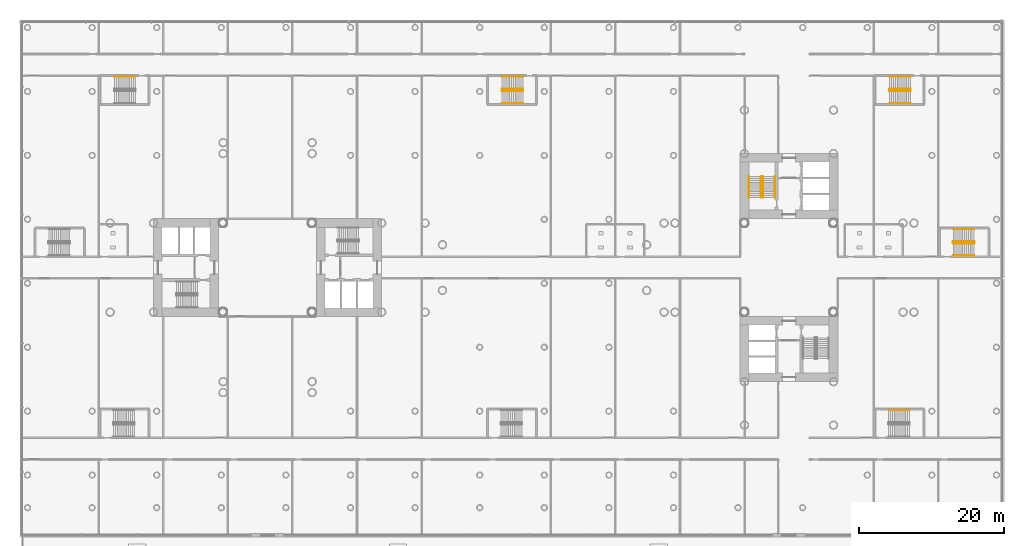
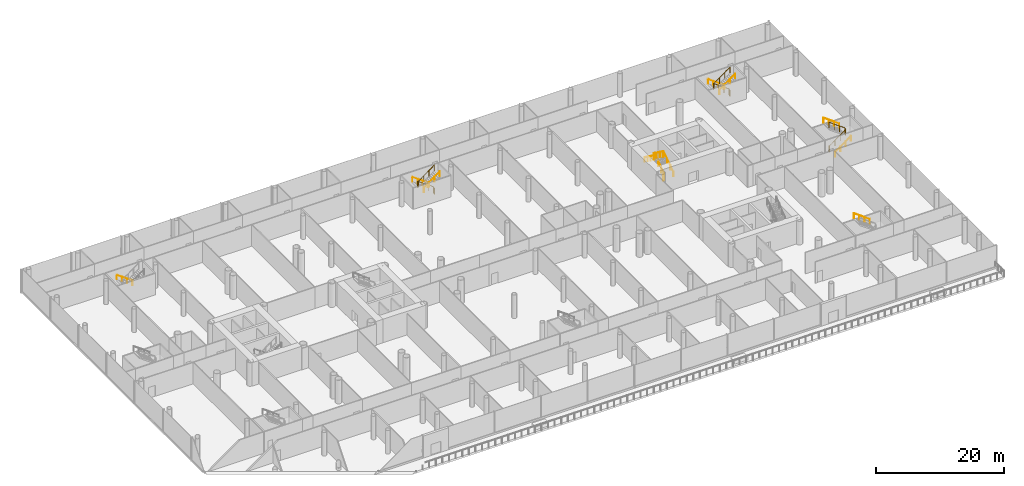
# One storey, part 48 of 49: 14 railings.
"""IFC4 building model written with IfcOpenShell, lengths in metres."""

from ifc_helpers import new_model, si_unit, direction, frame, origin, origin_2d, place, context, subcontext, project, spatial, circle, extrude, material, type_object, element, save


model = new_model("IFC4")

# Units and contexts
model_context = context("Model", 3, precision=1e-05, world=origin(), true_north=direction((0.0, 1.0)))
body_context = subcontext(model_context, "Body", "Model", "MODEL_VIEW")
ifc_project = project(units=[si_unit("LENGTHUNIT", "METRE"), si_unit("AREAUNIT", "SQUARE_METRE"), si_unit("VOLUMEUNIT", "CUBIC_METRE"), si_unit("PLANEANGLEUNIT", "RADIAN"), si_unit("MASSUNIT", "GRAM", prefix="KILO")], contexts=[model_context])

# Site, building, storey
site_placement = place(None, origin())
site = spatial("IfcSite", under=ifc_project, at=site_placement, CompositionType="ELEMENT")
building_placement = place(site_placement, origin())
building = spatial("IfcBuilding", under=site, at=building_placement, Name="Ipe Terrace Towers", CompositionType="ELEMENT")
storey_placement = place(building_placement, frame((0.0, 0.0, 11.0)))
storey = spatial("IfcBuildingStorey", under=building, at=storey_placement, Name="L02", CompositionType="ELEMENT", Elevation=11.0)

# Railings
ifc_material_1 = material(Name="Steel S355", Category="steel")
railing_type_1 = type_object("IfcRailingType", Name="Stair guard 1100", PredefinedType="GUARDRAIL", material=ifc_material_1)
railing_1_placement = place(storey_placement, frame((32.199951171875, 9.64990234375, 0.0)))
element("IfcRailing", 1, at=railing_1_placement, inside=storey, type_object=railing_type_1, Name="L02 T2-ST1 stair guard 1", PredefinedType="GUARDRAIL", context=body_context, shape_type="SweptSolid", body=[
    extrude(circle(Radius=0.02392578125, at=origin_2d()), frame((0.0, 0.0, 1.076171875), z_axis=(1.0, 0.0, 0.0), x_axis=(0.0, 1.0, 0.0)), (0.0, 0.0, 1.0), 0.150146484375),
    extrude(circle(Radius=0.02392578125, at=origin_2d()), frame((0.150146484375, 0.0, 1.076171875), z_axis=(0.248583702486, 0.249802250048, 0.935844527007), x_axis=(-0.708833529934, 0.705375805398, 0.0)), (0.0, 0.0, 1.0), 0.200439453125),
    extrude(circle(Radius=0.02392578125, at=origin_2d()), frame((0.199951171875, 0.050048828125, 1.263671875), z_axis=(0.0, 0.811100754333, 0.584906459462), x_axis=(-1.0, 0.0, 0.0)), (0.0, 0.0, 1.0), 3.526123046875),
    extrude(circle(Radius=0.02392578125, at=origin_2d()), frame((0.199951171875, 2.91015625, 3.326171875), z_axis=(-0.705375805398, 0.708833529934, 0.0), x_axis=(-0.708833529934, -0.705375805398, 0.0)), (0.0, 0.0, 1.0), 0.070556640625),
    extrude(circle(Radius=0.02392578125, at=origin_2d()), frame((0.150146484375, 2.960205078125, 3.326171875), z_axis=(-1.0, 0.0, 0.0), x_axis=(0.0, -1.0, 0.0)), (0.0, 0.0, 1.0), 0.150146484375),
    extrude(circle(Radius=0.02392578125, at=origin_2d()), frame((0.0, 2.960205078125, 3.326171875), z_axis=(-0.249726431254, -0.249726431254, 0.935560483917), x_axis=(0.707106781187, -0.707106781187, 0.0)), (0.0, 0.0, 1.0), 0.200439453125),
    extrude(circle(Radius=0.02392578125, at=origin_2d()), frame((-0.050048828125, 2.91015625, 3.513671875), z_axis=(0.0, -0.811100754333, 0.584906459462), x_axis=(1.0, 0.0, 0.0)), (0.0, 0.0, 1.0), 3.526123046875),
    extrude(circle(Radius=0.02099609375, at=origin_2d()), origin(), (0.0, 0.0, 1.0), 1.052001953125),
    extrude(circle(Radius=0.02099609375, at=origin_2d()), frame((0.150146484375, 0.0, 0.0)), (0.0, 0.0, 1.0), 1.052001953125),
    extrude(circle(Radius=0.02099609375, at=origin_2d()), frame((0.199951171875, 0.050048828125, 0.1875)), (0.0, 0.0, 1.0), 1.052001953125),
    extrude(circle(Radius=0.02099609375, at=origin_2d()), frame((0.199951171875, 1.00341796875, 0.875)), (0.0, 0.0, 1.0), 1.052001953125),
    extrude(circle(Radius=0.02099609375, at=origin_2d()), frame((0.199951171875, 1.956787109375, 1.5625)), (0.0, 0.0, 1.0), 1.052001953125),
    extrude(circle(Radius=0.02099609375, at=origin_2d()), frame((0.199951171875, 2.91015625, 2.25)), (0.0, 0.0, 1.0), 1.052001953125),
    extrude(circle(Radius=0.02099609375, at=origin_2d()), frame((0.150146484375, 2.960205078125, 2.25)), (0.0, 0.0, 1.0), 1.052001953125),
    extrude(circle(Radius=0.02099609375, at=origin_2d()), frame((0.0, 2.960205078125, 2.25)), (0.0, 0.0, 1.0), 1.052001953125),
    extrude(circle(Radius=0.02099609375, at=origin_2d()), frame((-0.050048828125, 2.91015625, 2.4375)), (0.0, 0.0, 1.0), 1.052001953125),
    extrude(circle(Radius=0.02099609375, at=origin_2d()), frame((-0.050048828125, 1.956787109375, 3.125)), (0.0, 0.0, 1.0), 1.052001953125),
    extrude(circle(Radius=0.02099609375, at=origin_2d()), frame((-0.050048828125, 1.00341796875, 3.8125)), (0.0, 0.0, 1.0), 1.052001953125),
    extrude(circle(Radius=0.02099609375, at=origin_2d()), frame((-0.050048828125, 0.050048828125, 4.5)), (0.0, 0.0, 1.0), 1.052001953125),
])
railing_2_placement = place(storey_placement, frame((-0.699951171875, 24.449951171875, 0.0)))
element("IfcRailing", 2, at=railing_2_placement, inside=storey, type_object=railing_type_1, Name="L02 PS2 stair guard 1", PredefinedType="GUARDRAIL", context=body_context, shape_type="SweptSolid", body=[
    extrude(circle(Radius=0.02392578125, at=origin_2d()), frame((0.0, 0.0, 1.076171875), z_axis=(0.0, 1.0, 0.0), x_axis=(-1.0, 0.0, 0.0)), (0.0, 0.0, 1.0), 0.150146484375),
    extrude(circle(Radius=0.02392578125, at=origin_2d()), frame((0.0, 0.150146484375, 1.076171875), z_axis=(-0.249802250048, 0.248583702486, 0.935844527007), x_axis=(-0.705375805398, -0.708833529934, 0.0)), (0.0, 0.0, 1.0), 0.200439453125),
    extrude(circle(Radius=0.02392578125, at=origin_2d()), frame((-0.050048828125, 0.199951171875, 1.263671875), z_axis=(-0.811100754333, 0.0, 0.584906459462), x_axis=(0.0, -1.0, 0.0)), (0.0, 0.0, 1.0), 3.526123046875),
    extrude(circle(Radius=0.02392578125, at=origin_2d()), frame((-2.91015625, 0.199951171875, 3.326171875), z_axis=(-0.707106781187, -0.707106781187, 0.0), x_axis=(0.707106781187, -0.707106781187, 0.0)), (0.0, 0.0, 1.0), 0.0703125),
    extrude(circle(Radius=0.02392578125, at=origin_2d()), frame((-2.9599609375, 0.150146484375, 3.326171875), z_axis=(0.0, -1.0, 0.0), x_axis=(1.0, 0.0, 0.0)), (0.0, 0.0, 1.0), 0.150146484375),
    extrude(circle(Radius=0.02392578125, at=origin_2d()), frame((-2.9599609375, 0.0, 3.326171875), z_axis=(0.248583702486, -0.249802250048, 0.935844527007), x_axis=(0.708833529934, 0.705375805398, 0.0)), (0.0, 0.0, 1.0), 0.200439453125),
    extrude(circle(Radius=0.02392578125, at=origin_2d()), frame((-2.91015625, -0.050048828125, 3.513671875), z_axis=(0.811100754333, 0.0, 0.584906459462), x_axis=(0.0, 1.0, 0.0)), (0.0, 0.0, 1.0), 3.526123046875),
    extrude(circle(Radius=0.02099609375, at=origin_2d()), origin(), (0.0, 0.0, 1.0), 1.052001953125),
    extrude(circle(Radius=0.02099609375, at=origin_2d()), frame((0.0, 0.150146484375, 0.0)), (0.0, 0.0, 1.0), 1.052001953125),
    extrude(circle(Radius=0.02099609375, at=origin_2d()), frame((-0.050048828125, 0.199951171875, 0.1875)), (0.0, 0.0, 1.0), 1.052001953125),
    extrude(circle(Radius=0.02099609375, at=origin_2d()), frame((-1.00341796875, 0.199951171875, 0.875)), (0.0, 0.0, 1.0), 1.052001953125),
    extrude(circle(Radius=0.02099609375, at=origin_2d()), frame((-1.956787109375, 0.199951171875, 1.5625)), (0.0, 0.0, 1.0), 1.052001953125),
    extrude(circle(Radius=0.02099609375, at=origin_2d()), frame((-2.91015625, 0.199951171875, 2.25)), (0.0, 0.0, 1.0), 1.052001953125),
    extrude(circle(Radius=0.02099609375, at=origin_2d()), frame((-2.9599609375, 0.150146484375, 2.25)), (0.0, 0.0, 1.0), 1.052001953125),
    extrude(circle(Radius=0.02099609375, at=origin_2d()), frame((-2.9599609375, 0.0, 2.25)), (0.0, 0.0, 1.0), 1.052001953125),
    extrude(circle(Radius=0.02099609375, at=origin_2d()), frame((-2.91015625, -0.050048828125, 2.4375)), (0.0, 0.0, 1.0), 1.052001953125),
    extrude(circle(Radius=0.02099609375, at=origin_2d()), frame((-1.956787109375, -0.050048828125, 3.125)), (0.0, 0.0, 1.0), 1.052001953125),
    extrude(circle(Radius=0.02099609375, at=origin_2d()), frame((-1.00341796875, -0.050048828125, 3.8125)), (0.0, 0.0, 1.0), 1.052001953125),
    extrude(circle(Radius=0.02099609375, at=origin_2d()), frame((-0.050048828125, -0.050048828125, 4.5)), (0.0, 0.0, 1.0), 1.052001953125),
])
railing_3_placement = place(storey_placement, frame((52.820068359375, 24.449951171875, 0.0)))
element("IfcRailing", 3, at=railing_3_placement, inside=storey, type_object=railing_type_1, Name="L02 PS3 stair guard 1", PredefinedType="GUARDRAIL", context=body_context, shape_type="SweptSolid", body=[
    extrude(circle(Radius=0.02392578125, at=origin_2d()), frame((0.0, 0.0, 1.076171875), z_axis=(0.0, 1.0, 0.0), x_axis=(-1.0, 0.0, 0.0)), (0.0, 0.0, 1.0), 0.150146484375),
    extrude(circle(Radius=0.02392578125, at=origin_2d()), frame((0.0, 0.150146484375, 1.076171875), z_axis=(-0.249802250048, 0.248583702486, 0.935844527007), x_axis=(-0.705375805398, -0.708833529934, 0.0)), (0.0, 0.0, 1.0), 0.200439453125),
    extrude(circle(Radius=0.02392578125, at=origin_2d()), frame((-0.050048828125, 0.199951171875, 1.263671875), z_axis=(-0.811100754333, 0.0, 0.584906459462), x_axis=(0.0, -1.0, 0.0)), (0.0, 0.0, 1.0), 3.526123046875),
    extrude(circle(Radius=0.02392578125, at=origin_2d()), frame((-2.91015625, 0.199951171875, 3.326171875), z_axis=(-0.707106781187, -0.707106781187, 0.0), x_axis=(0.707106781187, -0.707106781187, 0.0)), (0.0, 0.0, 1.0), 0.0703125),
    extrude(circle(Radius=0.02392578125, at=origin_2d()), frame((-2.9599609375, 0.150146484375, 3.326171875), z_axis=(0.0, -1.0, 0.0), x_axis=(1.0, 0.0, 0.0)), (0.0, 0.0, 1.0), 0.150146484375),
    extrude(circle(Radius=0.02392578125, at=origin_2d()), frame((-2.9599609375, 0.0, 3.326171875), z_axis=(0.248583702486, -0.249802250048, 0.935844527007), x_axis=(0.708833529934, 0.705375805398, 0.0)), (0.0, 0.0, 1.0), 0.200439453125),
    extrude(circle(Radius=0.02392578125, at=origin_2d()), frame((-2.91015625, -0.050048828125, 3.513671875), z_axis=(0.811100754333, 0.0, 0.584906459462), x_axis=(0.0, 1.0, 0.0)), (0.0, 0.0, 1.0), 3.526123046875),
    extrude(circle(Radius=0.02099609375, at=origin_2d()), origin(), (0.0, 0.0, 1.0), 1.052001953125),
    extrude(circle(Radius=0.02099609375, at=origin_2d()), frame((0.0, 0.150146484375, 0.0)), (0.0, 0.0, 1.0), 1.052001953125),
    extrude(circle(Radius=0.02099609375, at=origin_2d()), frame((-0.050048828125, 0.199951171875, 0.1875)), (0.0, 0.0, 1.0), 1.052001953125),
    extrude(circle(Radius=0.02099609375, at=origin_2d()), frame((-1.00341796875, 0.199951171875, 0.875)), (0.0, 0.0, 1.0), 1.052001953125),
    extrude(circle(Radius=0.02099609375, at=origin_2d()), frame((-1.956787109375, 0.199951171875, 1.5625)), (0.0, 0.0, 1.0), 1.052001953125),
    extrude(circle(Radius=0.02099609375, at=origin_2d()), frame((-2.91015625, 0.199951171875, 2.25)), (0.0, 0.0, 1.0), 1.052001953125),
    extrude(circle(Radius=0.02099609375, at=origin_2d()), frame((-2.9599609375, 0.150146484375, 2.25)), (0.0, 0.0, 1.0), 1.052001953125),
    extrude(circle(Radius=0.02099609375, at=origin_2d()), frame((-2.9599609375, 0.0, 2.25)), (0.0, 0.0, 1.0), 1.052001953125),
    extrude(circle(Radius=0.02099609375, at=origin_2d()), frame((-2.91015625, -0.050048828125, 2.4375)), (0.0, 0.0, 1.0), 1.052001953125),
    extrude(circle(Radius=0.02099609375, at=origin_2d()), frame((-1.956787109375, -0.050048828125, 3.125)), (0.0, 0.0, 1.0), 1.052001953125),
    extrude(circle(Radius=0.02099609375, at=origin_2d()), frame((-1.00341796875, -0.050048828125, 3.8125)), (0.0, 0.0, 1.0), 1.052001953125),
    extrude(circle(Radius=0.02099609375, at=origin_2d()), frame((-0.050048828125, -0.050048828125, 4.5)), (0.0, 0.0, 1.0), 1.052001953125),
])
railing_4_placement = place(storey_placement, frame((58.639892578125, 3.550048828125, 0.0)))
element("IfcRailing", 4, at=railing_4_placement, inside=storey, type_object=railing_type_1, Name="L02 PS8 stair guard 1", PredefinedType="GUARDRAIL", context=body_context, shape_type="SweptSolid", body=[
    extrude(circle(Radius=0.02392578125, at=origin_2d()), frame((0.0, 0.0, 1.076171875), z_axis=(0.0, -1.0, 0.0), x_axis=(1.0, 0.0, 0.0)), (0.0, 0.0, 1.0), 0.150146484375),
    extrude(circle(Radius=0.02392578125, at=origin_2d()), frame((0.0, -0.150146484375, 1.076171875), z_axis=(0.249802250048, -0.248583702486, 0.935844527007), x_axis=(0.705375805398, 0.708833529934, 0.0)), (0.0, 0.0, 1.0), 0.200439453125),
    extrude(circle(Radius=0.02392578125, at=origin_2d()), frame((0.050048828125, -0.199951171875, 1.263671875), z_axis=(0.811100754333, 0.0, 0.584906459462), x_axis=(0.0, 1.0, 0.0)), (0.0, 0.0, 1.0), 3.526123046875),
    extrude(circle(Radius=0.02392578125, at=origin_2d()), frame((2.91015625, -0.199951171875, 3.326171875), z_axis=(0.708833529934, 0.705375805398, 0.0), x_axis=(-0.705375805398, 0.708833529934, 0.0)), (0.0, 0.0, 1.0), 0.070556640625),
    extrude(circle(Radius=0.02392578125, at=origin_2d()), frame((2.960205078125, -0.150146484375, 3.326171875), z_axis=(0.0, 1.0, 0.0), x_axis=(-1.0, 0.0, 0.0)), (0.0, 0.0, 1.0), 0.150146484375),
    extrude(circle(Radius=0.02392578125, at=origin_2d()), frame((2.960205078125, 0.0, 3.326171875), z_axis=(-0.249726431254, 0.249726431254, 0.935560483917), x_axis=(-0.707106781187, -0.707106781187, 0.0)), (0.0, 0.0, 1.0), 0.200439453125),
    extrude(circle(Radius=0.02392578125, at=origin_2d()), frame((2.91015625, 0.050048828125, 3.513671875), z_axis=(-0.811100754333, 0.0, 0.584906459462), x_axis=(0.0, -1.0, 0.0)), (0.0, 0.0, 1.0), 3.526123046875),
    extrude(circle(Radius=0.02099609375, at=origin_2d()), origin(), (0.0, 0.0, 1.0), 1.052001953125),
    extrude(circle(Radius=0.02099609375, at=origin_2d()), frame((0.0, -0.150146484375, 0.0)), (0.0, 0.0, 1.0), 1.052001953125),
    extrude(circle(Radius=0.02099609375, at=origin_2d()), frame((0.050048828125, -0.199951171875, 0.1875)), (0.0, 0.0, 1.0), 1.052001953125),
    extrude(circle(Radius=0.02099609375, at=origin_2d()), frame((1.00341796875, -0.199951171875, 0.875)), (0.0, 0.0, 1.0), 1.052001953125),
    extrude(circle(Radius=0.02099609375, at=origin_2d()), frame((1.956787109375, -0.199951171875, 1.5625)), (0.0, 0.0, 1.0), 1.052001953125),
    extrude(circle(Radius=0.02099609375, at=origin_2d()), frame((2.91015625, -0.199951171875, 2.25)), (0.0, 0.0, 1.0), 1.052001953125),
    extrude(circle(Radius=0.02099609375, at=origin_2d()), frame((2.960205078125, -0.150146484375, 2.25)), (0.0, 0.0, 1.0), 1.052001953125),
    extrude(circle(Radius=0.02099609375, at=origin_2d()), frame((2.960205078125, 0.0, 2.25)), (0.0, 0.0, 1.0), 1.052001953125),
    extrude(circle(Radius=0.02099609375, at=origin_2d()), frame((2.91015625, 0.050048828125, 2.4375)), (0.0, 0.0, 1.0), 1.052001953125),
    extrude(circle(Radius=0.02099609375, at=origin_2d()), frame((1.956787109375, 0.050048828125, 3.125)), (0.0, 0.0, 1.0), 1.052001953125),
    extrude(circle(Radius=0.02099609375, at=origin_2d()), frame((1.00341796875, 0.050048828125, 3.8125)), (0.0, 0.0, 1.0), 1.052001953125),
    extrude(circle(Radius=0.02099609375, at=origin_2d()), frame((0.050048828125, 0.050048828125, 4.5)), (0.0, 0.0, 1.0), 1.052001953125),
])
ifc_material_2 = material(Name="Stainless steel grade 304", Category="steel")
railing_type_2 = type_object("IfcRailingType", Name="Stair handrail 900", PredefinedType="HANDRAIL", material=ifc_material_2)
railing_5_placement = place(storey_placement, frame((34.050048828125, 9.699951171875, 0.1875)))
element("IfcRailing", 5, at=railing_5_placement, inside=storey, type_object=railing_type_2, Name="L02 T2-ST1 stair handrail 1", PredefinedType="HANDRAIL", context=body_context, shape_type="SweptSolid", body=[
    extrude(circle(Radius=0.02392578125, at=origin_2d()), frame((0.0, 0.0, 0.8759765625), z_axis=(0.0, 0.811100754333, 0.584906459462), x_axis=(-1.0, 0.0, 0.0)), (0.0, 0.0, 1.0), 3.526123046875),
    extrude(circle(Radius=0.02099609375, at=origin_2d()), origin(), (0.0, 0.0, 1.0), 0.851806640625),
    extrude(circle(Radius=0.02099609375, at=origin_2d()), frame((0.0, 0.953369140625, 0.6875)), (0.0, 0.0, 1.0), 0.851806640625),
    extrude(circle(Radius=0.02099609375, at=origin_2d()), frame((0.0, 1.90673828125, 1.375)), (0.0, 0.0, 1.0), 0.851806640625),
    extrude(circle(Radius=0.02099609375, at=origin_2d()), frame((0.0, 2.860107421875, 2.0625)), (0.0, 0.0, 1.0), 0.851806640625),
])
railing_6_placement = place(storey_placement, frame((30.5, 12.56005859375, 2.4375)))
element("IfcRailing", 6, at=railing_6_placement, inside=storey, type_object=railing_type_2, Name="L02 T2-ST1 stair handrail 2", PredefinedType="HANDRAIL", context=body_context, shape_type="SweptSolid", body=[
    extrude(circle(Radius=0.02392578125, at=origin_2d()), frame((0.0, 0.0, 0.8759765625), z_axis=(0.0, -0.811100754333, 0.584906459462), x_axis=(1.0, 0.0, 0.0)), (0.0, 0.0, 1.0), 3.526123046875),
    extrude(circle(Radius=0.02099609375, at=origin_2d()), origin(), (0.0, 0.0, 1.0), 0.851806640625),
    extrude(circle(Radius=0.02099609375, at=origin_2d()), frame((0.0, -0.953369140625, 0.6875)), (0.0, 0.0, 1.0), 0.851806640625),
    extrude(circle(Radius=0.02099609375, at=origin_2d()), frame((0.0, -1.90673828125, 1.375)), (0.0, 0.0, 1.0), 0.851806640625),
    extrude(circle(Radius=0.02099609375, at=origin_2d()), frame((0.0, -2.860107421875, 2.0625)), (0.0, 0.0, 1.0), 0.851806640625),
])
railing_7_placement = place(storey_placement, frame((-54.27001953125, 26.35009765625, 0.1875)))
element("IfcRailing", 7, at=railing_7_placement, inside=storey, type_object=railing_type_2, Name="L02 PS1 stair handrail 1", PredefinedType="HANDRAIL", context=body_context, shape_type="SweptSolid", body=[
    extrude(circle(Radius=0.02392578125, at=origin_2d()), frame((0.0, 0.0, 0.8759765625), z_axis=(-0.811077065594, 0.0, 0.584939307678), x_axis=(0.0, -1.0, 0.0)), (0.0, 0.0, 1.0), 3.526123046875),
    extrude(circle(Radius=0.02099609375, at=origin_2d()), origin(), (0.0, 0.0, 1.0), 0.851806640625),
    extrude(circle(Radius=0.02099609375, at=origin_2d()), frame((-0.953369140625, 0.0, 0.6875)), (0.0, 0.0, 1.0), 0.851806640625),
    extrude(circle(Radius=0.02099609375, at=origin_2d()), frame((-1.906494140625, 0.0, 1.375)), (0.0, 0.0, 1.0), 0.851806640625),
    extrude(circle(Radius=0.02099609375, at=origin_2d()), frame((-2.85986328125, 0.0, 2.0625)), (0.0, 0.0, 1.0), 0.851806640625),
])
railing_8_placement = place(storey_placement, frame((-0.75, 26.35009765625, 0.1875)))
element("IfcRailing", 8, at=railing_8_placement, inside=storey, type_object=railing_type_2, Name="L02 PS2 stair handrail 1", PredefinedType="HANDRAIL", context=body_context, shape_type="SweptSolid", body=[
    extrude(circle(Radius=0.02392578125, at=origin_2d()), frame((0.0, 0.0, 0.8759765625), z_axis=(-0.811100754333, 0.0, 0.584906459462), x_axis=(0.0, -1.0, 0.0)), (0.0, 0.0, 1.0), 3.526123046875),
    extrude(circle(Radius=0.02099609375, at=origin_2d()), origin(), (0.0, 0.0, 1.0), 0.851806640625),
    extrude(circle(Radius=0.02099609375, at=origin_2d()), frame((-0.953369140625, 0.0, 0.6875)), (0.0, 0.0, 1.0), 0.851806640625),
    extrude(circle(Radius=0.02099609375, at=origin_2d()), frame((-1.90673828125, 0.0, 1.375)), (0.0, 0.0, 1.0), 0.851806640625),
    extrude(circle(Radius=0.02099609375, at=origin_2d()), frame((-2.860107421875, 0.0, 2.0625)), (0.0, 0.0, 1.0), 0.851806640625),
])
railing_9_placement = place(storey_placement, frame((-3.610107421875, 22.699951171875, 2.4375)))
element("IfcRailing", 9, at=railing_9_placement, inside=storey, type_object=railing_type_2, Name="L02 PS2 stair handrail 2", PredefinedType="HANDRAIL", context=body_context, shape_type="SweptSolid", body=[
    extrude(circle(Radius=0.02392578125, at=origin_2d()), frame((0.0, 0.0, 0.8759765625), z_axis=(0.811100754333, 0.0, 0.584906459462), x_axis=(0.0, 1.0, 0.0)), (0.0, 0.0, 1.0), 3.526123046875),
    extrude(circle(Radius=0.02099609375, at=origin_2d()), origin(), (0.0, 0.0, 1.0), 0.851806640625),
    extrude(circle(Radius=0.02099609375, at=origin_2d()), frame((0.953369140625, 0.0, 0.6875)), (0.0, 0.0, 1.0), 0.851806640625),
    extrude(circle(Radius=0.02099609375, at=origin_2d()), frame((1.90673828125, 0.0, 1.375)), (0.0, 0.0, 1.0), 0.851806640625),
    extrude(circle(Radius=0.02099609375, at=origin_2d()), frame((2.860107421875, 0.0, 2.0625)), (0.0, 0.0, 1.0), 0.851806640625),
])
railing_10_placement = place(storey_placement, frame((52.77001953125, 26.35009765625, 0.1875)))
element("IfcRailing", 10, at=railing_10_placement, inside=storey, type_object=railing_type_2, Name="L02 PS3 stair handrail 1", PredefinedType="HANDRAIL", context=body_context, shape_type="SweptSolid", body=[
    extrude(circle(Radius=0.02392578125, at=origin_2d()), frame((0.0, 0.0, 0.8759765625), z_axis=(-0.811100754333, 0.0, 0.584906459462), x_axis=(0.0, -1.0, 0.0)), (0.0, 0.0, 1.0), 3.526123046875),
    extrude(circle(Radius=0.02099609375, at=origin_2d()), origin(), (0.0, 0.0, 1.0), 0.851806640625),
    extrude(circle(Radius=0.02099609375, at=origin_2d()), frame((-0.953369140625, 0.0, 0.6875)), (0.0, 0.0, 1.0), 0.851806640625),
    extrude(circle(Radius=0.02099609375, at=origin_2d()), frame((-1.90673828125, 0.0, 1.375)), (0.0, 0.0, 1.0), 0.851806640625),
    extrude(circle(Radius=0.02099609375, at=origin_2d()), frame((-2.860107421875, 0.0, 2.0625)), (0.0, 0.0, 1.0), 0.851806640625),
])
railing_11_placement = place(storey_placement, frame((49.909912109375, 22.699951171875, 2.4375)))
element("IfcRailing", 11, at=railing_11_placement, inside=storey, type_object=railing_type_2, Name="L02 PS3 stair handrail 2", PredefinedType="HANDRAIL", context=body_context, shape_type="SweptSolid", body=[
    extrude(circle(Radius=0.02392578125, at=origin_2d()), frame((0.0, 0.0, 0.8759765625), z_axis=(0.811100754333, 0.0, 0.584906459462), x_axis=(0.0, 1.0, 0.0)), (0.0, 0.0, 1.0), 3.526123046875),
    extrude(circle(Radius=0.02099609375, at=origin_2d()), origin(), (0.0, 0.0, 1.0), 0.851806640625),
    extrude(circle(Radius=0.02099609375, at=origin_2d()), frame((0.953369140625, 0.0, 0.6875)), (0.0, 0.0, 1.0), 0.851806640625),
    extrude(circle(Radius=0.02099609375, at=origin_2d()), frame((1.90673828125, 0.0, 1.375)), (0.0, 0.0, 1.0), 0.851806640625),
    extrude(circle(Radius=0.02099609375, at=origin_2d()), frame((2.860107421875, 0.0, 2.0625)), (0.0, 0.0, 1.0), 0.851806640625),
])
railing_12_placement = place(storey_placement, frame((52.6298828125, -19.699951171875, 2.4375)))
element("IfcRailing", 12, at=railing_12_placement, inside=storey, type_object=railing_type_2, Name="L02 PS6 stair handrail 2", PredefinedType="HANDRAIL", context=body_context, shape_type="SweptSolid", body=[
    extrude(circle(Radius=0.02392578125, at=origin_2d()), frame((0.0, 0.0, 0.8759765625), z_axis=(-0.811077065594, 0.0, 0.584939307678), x_axis=(0.0, -1.0, 0.0)), (0.0, 0.0, 1.0), 3.526123046875),
    extrude(circle(Radius=0.02099609375, at=origin_2d()), origin(), (0.0, 0.0, 1.0), 0.851806640625),
    extrude(circle(Radius=0.02099609375, at=origin_2d()), frame((-0.953369140625, 0.0, 0.6875)), (0.0, 0.0, 1.0), 0.851806640625),
    extrude(circle(Radius=0.02099609375, at=origin_2d()), frame((-1.906494140625, 0.0, 1.375)), (0.0, 0.0, 1.0), 0.851806640625),
    extrude(circle(Radius=0.02099609375, at=origin_2d()), frame((-2.85986328125, 0.0, 2.0625)), (0.0, 0.0, 1.0), 0.851806640625),
])
railing_13_placement = place(storey_placement, frame((58.68994140625, 1.64990234375, 0.1875)))
element("IfcRailing", 13, at=railing_13_placement, inside=storey, type_object=railing_type_2, Name="L02 PS8 stair handrail 1", PredefinedType="HANDRAIL", context=body_context, shape_type="SweptSolid", body=[
    extrude(circle(Radius=0.02392578125, at=origin_2d()), frame((0.0, 0.0, 0.8759765625), z_axis=(0.811100754333, 0.0, 0.584906459462), x_axis=(0.0, 1.0, 0.0)), (0.0, 0.0, 1.0), 3.526123046875),
    extrude(circle(Radius=0.02099609375, at=origin_2d()), origin(), (0.0, 0.0, 1.0), 0.851806640625),
    extrude(circle(Radius=0.02099609375, at=origin_2d()), frame((0.953369140625, 0.0, 0.6875)), (0.0, 0.0, 1.0), 0.851806640625),
    extrude(circle(Radius=0.02099609375, at=origin_2d()), frame((1.90673828125, 0.0, 1.375)), (0.0, 0.0, 1.0), 0.851806640625),
    extrude(circle(Radius=0.02099609375, at=origin_2d()), frame((2.860107421875, 0.0, 2.0625)), (0.0, 0.0, 1.0), 0.851806640625),
])
railing_14_placement = place(storey_placement, frame((61.550048828125, 5.300048828125, 2.4375)))
element("IfcRailing", 14, at=railing_14_placement, inside=storey, type_object=railing_type_2, Name="L02 PS8 stair handrail 2", PredefinedType="HANDRAIL", context=body_context, shape_type="SweptSolid", body=[
    extrude(circle(Radius=0.02392578125, at=origin_2d()), frame((0.0, 0.0, 0.8759765625), z_axis=(-0.811100754333, 0.0, 0.584906459462), x_axis=(0.0, -1.0, 0.0)), (0.0, 0.0, 1.0), 3.526123046875),
    extrude(circle(Radius=0.02099609375, at=origin_2d()), origin(), (0.0, 0.0, 1.0), 0.851806640625),
    extrude(circle(Radius=0.02099609375, at=origin_2d()), frame((-0.953369140625, 0.0, 0.6875)), (0.0, 0.0, 1.0), 0.851806640625),
    extrude(circle(Radius=0.02099609375, at=origin_2d()), frame((-1.90673828125, 0.0, 1.375)), (0.0, 0.0, 1.0), 0.851806640625),
    extrude(circle(Radius=0.02099609375, at=origin_2d()), frame((-2.860107421875, 0.0, 2.0625)), (0.0, 0.0, 1.0), 0.851806640625),
])

save(model, "model.ifc")
